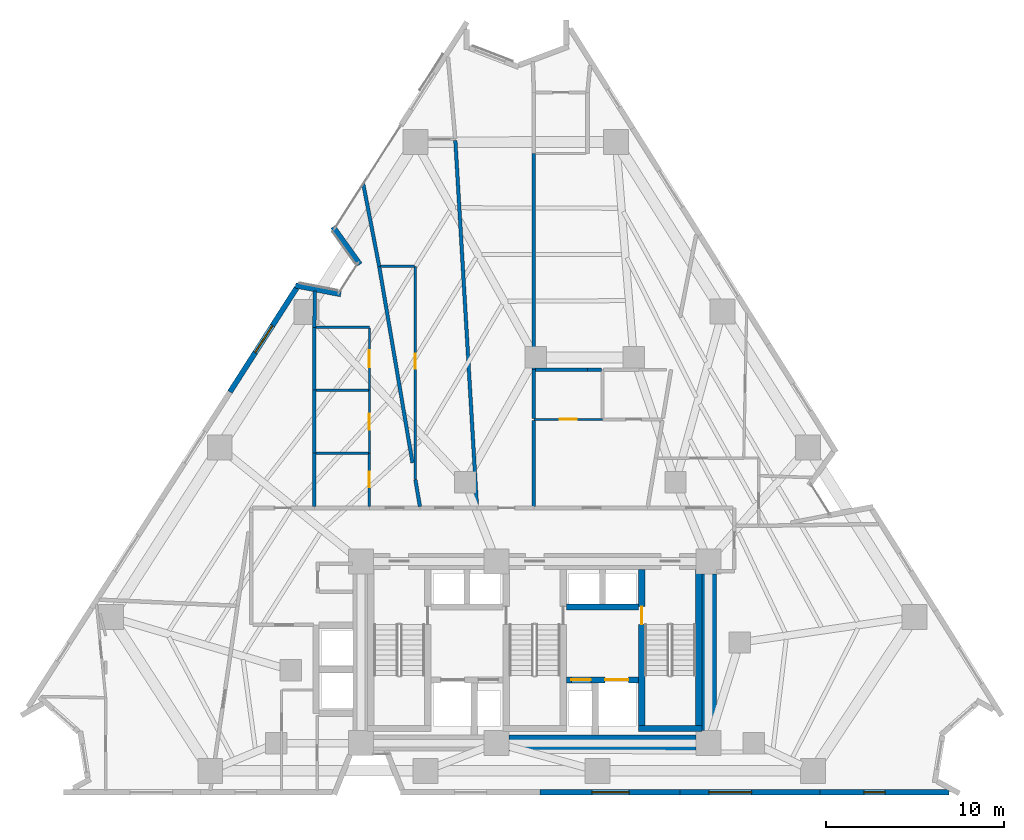
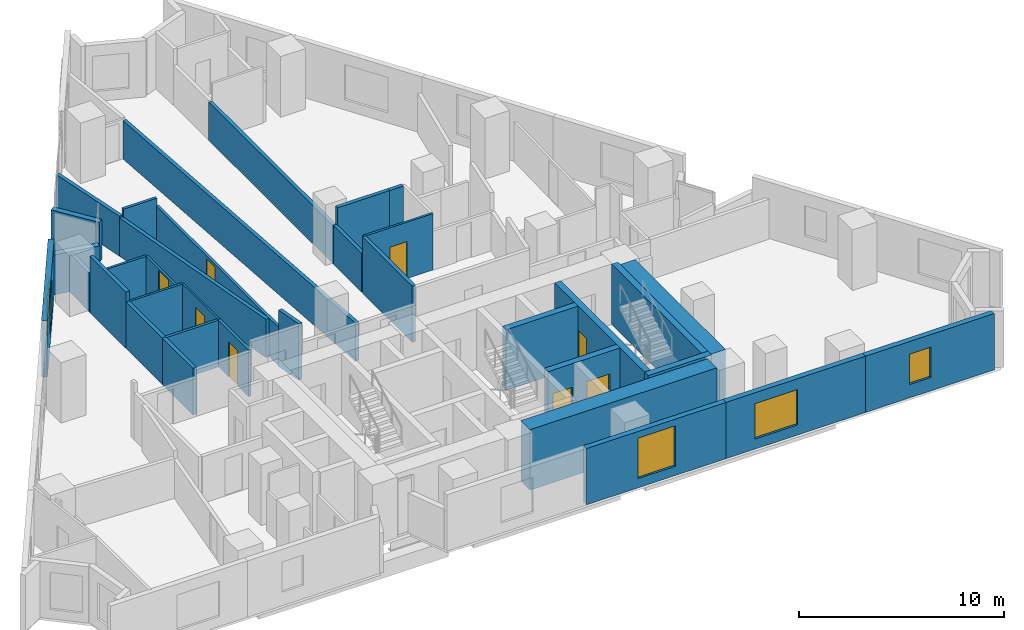
# One storey, part 8 of 12: 35 walls, 8 doors, 4 windows, 12 openings.
"""IFC4 building model written with IfcOpenShell, lengths in metres."""

from ifc_helpers import new_model, si_unit, direction, frame, frame_2d, origin, place, context, subcontext, project, spatial, rectangle, extrude, material, layer, layer_set, type_object, element, fill, save


model = new_model("IFC4")

# Units and contexts
model_context = context("Model", 3, precision=1e-05, world=origin(), true_north=direction((0.0, 1.0)))
body_context = subcontext(model_context, "Body", "Model", "MODEL_VIEW")
ifc_project = project(units=[si_unit("LENGTHUNIT", "METRE"), si_unit("AREAUNIT", "SQUARE_METRE"), si_unit("VOLUMEUNIT", "CUBIC_METRE"), si_unit("PLANEANGLEUNIT", "RADIAN"), si_unit("MASSUNIT", "GRAM", prefix="KILO")], contexts=[model_context])

# Site, building, storey
site_placement = place(None, origin())
site = spatial("IfcSite", under=ifc_project, at=site_placement, CompositionType="ELEMENT")
building_placement = place(site_placement, origin())
building = spatial("IfcBuilding", under=site, at=building_placement, Name="Almagre Mirador Tower", CompositionType="ELEMENT")
storey_placement = place(building_placement, frame((0.0, 0.0, 64.199951171875)))
storey = spatial("IfcBuildingStorey", under=building, at=storey_placement, Name="L15", CompositionType="ELEMENT", Elevation=64.199951171875)

# Walls
ifc_material_1 = material(Name="Precast concrete C50/60", Category="concrete")
ifc_layer_1 = layer(ifc_material_1, 0.300048828125)
ifc_layer_set_1 = layer_set([ifc_layer_1], Name="Precast concrete C50/60")
wall_type_1 = type_object("IfcWallType", Name="WAL-EXT-300", PredefinedType="SOLIDWALL", material=ifc_layer_set_1)
wall_1_placement = place(storey_placement, frame((23.86962890625, 30.24169921875, 0.0), z_axis=(0.0, 0.0, 1.0), x_axis=(0.981746420535, -0.190194547153, 0.0)))
element("IfcWall", 1, at=wall_1_placement, inside=storey, type_object=wall_type_1, Name="L15 expressed almagre precast frame wall 01", PredefinedType="SOLIDWALL", context=body_context, shape_type="SweptSolid", body=[
    extrude(rectangle(XDim=2.59423828125, YDim=0.300048828125, at=frame_2d((1.297119140625, 0.0))), origin(), (0.0, 0.0, 1.0), 2.375),
])
wall_2_placement = place(storey_placement, frame((27.487548828125, 31.42138671875, 0.0), z_axis=(0.0, 0.0, 1.0), x_axis=(-0.58299973372, 0.812472344442, 0.0)))
element("IfcWall", 2, at=wall_2_placement, inside=storey, type_object=wall_type_1, Name="L15 expressed almagre precast frame wall 02", PredefinedType="SOLIDWALL", context=body_context, shape_type="SweptSolid", body=[
    extrude(rectangle(XDim=2.59375, YDim=0.300048828125, at=frame_2d((1.296875, 0.0))), origin(), (0.0, 0.0, 1.0), 2.375),
])

# Wall, opening, window
wall_3_placement = place(storey_placement, frame((60.534912109375, 1.800048828125, 0.0), z_axis=(0.0, 0.0, 1.0), x_axis=(-1.0, 0.0, 0.0)))
wall_3 = element("IfcWall", 3, at=wall_3_placement, inside=storey, type_object=wall_type_1, Name="L15 expressed almagre precast frame wall 20", PredefinedType="SOLIDWALL", context=body_context, shape_type="SweptSolid", body=[
    extrude(rectangle(XDim=7.239990234375, YDim=0.300048828125, at=frame_2d((3.6201171875, 0.0))), origin(), (0.0, 0.0, 1.0), 3.35009765625),
])
opening_1_placement = place(wall_3_placement, frame((3.570068359375, 0.0, 0.800048828125)))
opening_1 = element("IfcOpeningElement", 4, at=opening_1_placement, cuts=wall_3, Name="Opening WN-04", PredefinedType="OPENING", context=body_context, shape_type="SweptSolid", body=[
    extrude(rectangle(XDim=1.199951171875, YDim=1.800048828125, at=frame_2d((0.60009765625, 0.89990234375))), frame((0.0, 0.159902, 0.0), z_axis=(0.0, -1.0, 0.0), x_axis=(1.0, 0.0, 0.0)), (0.0, 0.0, 1.0), 0.320049),
])
ifc_material_2 = material(Name="Dark solar-control laminated hurricane glass", Category="glass")
window_type_1 = type_object("IfcWindowType", Name="WIN-1200X1800", PartitioningType="SINGLE_PANEL", PredefinedType="WINDOW", material=ifc_material_2)
window_1_placement = place(opening_1_placement, origin())
window_1 = element("IfcWindow", 5, at=window_1_placement, inside=storey, type_object=window_type_1, Name="L15 recessed hurricane window L15-UD-BT", OverallHeight=1.800048828125, OverallWidth=1.199951171875, PartitioningType="SINGLE_PANEL", PredefinedType="WINDOW", context=body_context, shape_type="SweptSolid", body=[
    extrude(rectangle(XDim=1.199951171875, YDim=1.800048828125, at=frame_2d((0.60009765625, 0.89990234375))), frame((0.0, 0.030029296875, 0.0), z_axis=(0.0, -1.0, 0.0), x_axis=(1.0, 0.0, 0.0)), (0.0, 0.0, 1.0), 0.06005859375),
])
fill(opening_1, window_1)

wall_4_placement = place(storey_placement, frame((53.294921875, 1.800048828125, 0.0), z_axis=(0.0, 0.0, 1.0), x_axis=(-1.0, 0.0, 0.0)))
wall_4 = element("IfcWall", 6, at=wall_4_placement, inside=storey, type_object=wall_type_1, Name="L15 expressed almagre precast frame wall 21", PredefinedType="SOLIDWALL", context=body_context, shape_type="SweptSolid", body=[
    extrude(rectangle(XDim=7.844970703125, YDim=0.300048828125, at=frame_2d((3.92236328125, 0.0))), origin(), (0.0, 0.0, 1.0), 3.35009765625),
])
opening_2_placement = place(wall_4_placement, frame((3.824951171875, 0.0, 0.60009765625)))
opening_2 = element("IfcOpeningElement", 7, at=opening_2_placement, cuts=wall_4, Name="Opening WN-02", PredefinedType="OPENING", context=body_context, shape_type="SweptSolid", body=[
    extrude(rectangle(XDim=2.39990234375, YDim=2.10009765625, at=frame_2d((1.199951171875, 1.050048828125))), frame((0.0, 0.159902, 0.0), z_axis=(0.0, -1.0, 0.0), x_axis=(1.0, 0.0, 0.0)), (0.0, 0.0, 1.0), 0.320049),
])
ifc_material_3 = material(Name="Dark solar-control laminated hurricane glass", Category="glass")
window_type_2 = type_object("IfcWindowType", Name="WIN-2400X2100", PartitioningType="TRIPLE_PANEL_VERTICAL", PredefinedType="WINDOW", material=ifc_material_3)
window_2_placement = place(opening_2_placement, origin())
window_2 = element("IfcWindow", 8, at=window_2_placement, inside=storey, type_object=window_type_2, Name="L15 recessed hurricane window L15-RST-C", OverallHeight=2.10009765625, OverallWidth=2.39990234375, PartitioningType="SINGLE_PANEL", PredefinedType="WINDOW", context=body_context, shape_type="SweptSolid", body=[
    extrude(rectangle(XDim=2.39990234375, YDim=2.10009765625, at=frame_2d((1.199951171875, 1.050048828125))), frame((0.0, 0.030029296875, 0.0), z_axis=(0.0, -1.0, 0.0), x_axis=(1.0, 0.0, 0.0)), (0.0, 0.0, 1.0), 0.06005859375),
])
fill(opening_2, window_2)

wall_5_placement = place(storey_placement, frame((45.449951171875, 1.800048828125, 0.0), z_axis=(0.0, 0.0, 1.0), x_axis=(-1.0, 0.0, 0.0)))
wall_5 = element("IfcWall", 9, at=wall_5_placement, inside=storey, type_object=wall_type_1, Name="L15 expressed almagre precast frame wall 22", PredefinedType="SOLIDWALL", context=body_context, shape_type="SweptSolid", body=[
    extrude(rectangle(XDim=7.844970703125, YDim=0.300048828125, at=frame_2d((3.92236328125, 0.0))), origin(), (0.0, 0.0, 1.0), 3.35009765625),
])
opening_3_placement = place(wall_5_placement, frame((2.85009765625, 0.0, 0.550048828125)))
opening_3 = element("IfcOpeningElement", 10, at=opening_3_placement, cuts=wall_5, Name="Opening WN-05", PredefinedType="OPENING", context=body_context, shape_type="SweptSolid", body=[
    extrude(rectangle(XDim=2.10009765625, YDim=2.39990234375, at=frame_2d((1.050048828125, 1.199951171875))), frame((0.0, 0.159902, 0.0), z_axis=(0.0, -1.0, 0.0), x_axis=(1.0, 0.0, 0.0)), (0.0, 0.0, 1.0), 0.320049),
])
ifc_material_4 = material(Name="Dark solar-control laminated hurricane glass", Category="glass")
window_type_3 = type_object("IfcWindowType", Name="WIN-2100X2400", PartitioningType="DOUBLE_PANEL_VERTICAL", PredefinedType="WINDOW", material=ifc_material_4)
window_3_placement = place(opening_3_placement, origin())
window_3 = element("IfcWindow", 11, at=window_3_placement, inside=storey, type_object=window_type_3, Name="L15 recessed hurricane window L15-RST-C", OverallHeight=2.39990234375, OverallWidth=2.10009765625, PartitioningType="SINGLE_PANEL", PredefinedType="WINDOW", context=body_context, shape_type="SweptSolid", body=[
    extrude(rectangle(XDim=2.10009765625, YDim=2.39990234375, at=frame_2d((1.050048828125, 1.199951171875))), frame((0.0, 0.030029296875, 0.0), z_axis=(0.0, -1.0, 0.0), x_axis=(1.0, 0.0, 0.0)), (0.0, 0.0, 1.0), 0.06005859375),
])
fill(opening_3, window_3)

wall_6_placement = place(storey_placement, frame((20.1943359375, 24.2646484375, 0.0), z_axis=(0.0, 0.0, 1.0), x_axis=(0.539491368069, 0.841991130463, 0.0)))
wall_6 = element("IfcWall", 12, at=wall_6_placement, inside=storey, type_object=wall_type_1, Name="L15 expressed almagre precast frame wall 35", PredefinedType="SOLIDWALL", context=body_context, shape_type="SweptSolid", body=[
    extrude(rectangle(XDim=6.931884765625, YDim=0.300048828125, at=frame_2d((3.4658203125, 0.0))), origin(), (0.0, 0.0, 1.0), 3.35009765625),
])
opening_4_placement = place(wall_6_placement, frame((2.625, 0.0, 0.60009765625)))
opening_4 = element("IfcOpeningElement", 13, at=opening_4_placement, cuts=wall_6, Name="Opening WN-01", PredefinedType="OPENING", context=body_context, shape_type="SweptSolid", body=[
    extrude(rectangle(XDim=1.800048828125, YDim=2.10009765625, at=frame_2d((0.89990234375, 1.050048828125))), frame((0.0, 0.159902, 0.0), z_axis=(0.0, -1.0, 0.0), x_axis=(1.0, 0.0, 0.0)), (0.0, 0.0, 1.0), 0.320049),
])
ifc_material_5 = material(Name="Dark solar-control laminated hurricane glass", Category="glass")
window_type_4 = type_object("IfcWindowType", Name="WIN-1800X2100", PartitioningType="DOUBLE_PANEL_VERTICAL", PredefinedType="WINDOW", material=ifc_material_5)
window_4_placement = place(opening_4_placement, origin())
window_4 = element("IfcWindow", 14, at=window_4_placement, inside=storey, type_object=window_type_4, Name="L15 recessed hurricane window L15-RST-F", OverallHeight=2.10009765625, OverallWidth=1.800048828125, PartitioningType="SINGLE_PANEL", PredefinedType="WINDOW", context=body_context, shape_type="SweptSolid", body=[
    extrude(rectangle(XDim=1.800048828125, YDim=2.10009765625, at=frame_2d((0.89990234375, 1.050048828125))), frame((0.0, 0.030029296875, 0.0), z_axis=(0.0, -1.0, 0.0), x_axis=(1.0, 0.0, 0.0)), (0.0, 0.0, 1.0), 0.06005859375),
])
fill(opening_4, window_4)

# Wall, opening, door
ifc_material_6 = material(Name="Gypsum acoustic stud partition", Category="other")
ifc_layer_2 = layer(ifc_material_6, 0.10009765625)
ifc_layer_set_2 = layer_set([ifc_layer_2], Name="Gypsum acoustic stud partition")
wall_type_2 = type_object("IfcWallType", Name="WAL-PRT-100-CLS", PredefinedType="PARTITIONING", material=ifc_layer_set_2)
wall_7_placement = place(storey_placement, frame((28.02001953125, 24.360107421875, 0.0), z_axis=(0.0, 0.0, 1.0), x_axis=(0.0, -1.0, 0.0)))
wall_7 = element("IfcWall", 15, at=wall_7_placement, inside=storey, type_object=wall_type_2, Name="L15 interior partition 047", PredefinedType="PARTITIONING", context=body_context, shape_type="SweptSolid", body=[
    extrude(rectangle(XDim=3.530029296875, YDim=0.10009765625, at=frame_2d((1.76513671875, 0.0))), origin(), (0.0, 0.0, 1.0), 2.77099609375),
])
opening_5_placement = place(wall_7_placement, frame((1.31494140625, 0.0, 0.0)))
opening_5 = element("IfcOpeningElement", 16, at=opening_5_placement, cuts=wall_7, Name="Opening UD-02", PredefinedType="OPENING", context=body_context, shape_type="SweptSolid", body=[
    extrude(rectangle(XDim=0.89990234375, YDim=2.14990234375, at=frame_2d((0.449951171875, 1.074951171875))), frame((0.0, 0.060049, 0.0), z_axis=(0.0, -1.0, 0.0), x_axis=(1.0, 0.0, 0.0)), (0.0, 0.0, 1.0), 0.120098),
])
ifc_material_7 = material(Name="Solid American walnut timber", Category="wood")
door_type_1 = type_object("IfcDoorType", Name="DOR-UNR-900X2150", OperationType="NOTDEFINED", PredefinedType="DOOR", material=ifc_material_7)
door_1_placement = place(opening_5_placement, origin())
door_1 = element("IfcDoor", 17, at=door_1_placement, inside=storey, type_object=door_type_1, Name="DR-0509 L15 interior door L15-UG-LV to L15-UG-MB", OperationType="SINGLE_SWING_LEFT", OverallHeight=2.14990234375, OverallWidth=0.89990234375, PredefinedType="DOOR", context=body_context, shape_type="SweptSolid", body=[
    extrude(rectangle(XDim=0.89990234375, YDim=2.14990234375, at=frame_2d((0.449951171875, 1.074951171875))), frame((0.0, 0.02490234375, 0.0), z_axis=(0.0, -1.0, 0.0), x_axis=(1.0, 0.0, 0.0)), (0.0, 0.0, 1.0), 0.050048828125),
])
fill(opening_5, door_1)

# Wall
ifc_material_8 = material(Name="Gypsum acoustic stud partition", Category="other")
ifc_layer_3 = layer(ifc_material_8, 0.125)
ifc_layer_set_3 = layer_set([ifc_layer_3], Name="Gypsum acoustic stud partition")
wall_type_3 = type_object("IfcWallType", Name="WAL-PRT-125-UTL", PredefinedType="PARTITIONING", material=ifc_layer_set_3)
wall_8_placement = place(storey_placement, frame((25.014892578125, 27.889892578125, 0.0), z_axis=(0.0, 0.0, 1.0), x_axis=(1.0, 0.0, 0.0)))
element("IfcWall", 18, at=wall_8_placement, inside=storey, type_object=wall_type_3, Name="L15 interior partition 045", PredefinedType="PARTITIONING", context=body_context, shape_type="SweptSolid", body=[
    extrude(rectangle(XDim=3.005126953125, YDim=0.125, at=frame_2d((1.50244140625, 0.0))), origin(), (0.0, 0.0, 1.0), 2.279052734375),
])

# Wall, opening, door
wall_9_placement = place(storey_placement, frame((28.02001953125, 27.842529296875, 0.0), z_axis=(0.0, 0.0, 1.0), x_axis=(0.0, -1.0, 0.0)))
wall_9 = element("IfcWall", 19, at=wall_9_placement, inside=storey, type_object=wall_type_3, Name="L15 interior partition 046", PredefinedType="PARTITIONING", context=body_context, shape_type="SweptSolid", body=[
    extrude(rectangle(XDim=3.482421875, YDim=0.125, at=frame_2d((1.7412109375, 0.0))), origin(), (0.0, 0.0, 1.0), 2.279052734375),
])
opening_6_placement = place(wall_9_placement, frame((1.242431640625, 0.0, 0.0)))
opening_6 = element("IfcOpeningElement", 20, at=opening_6_placement, cuts=wall_9, Name="Opening UD-01", PredefinedType="OPENING", context=body_context, shape_type="SweptSolid", body=[
    extrude(rectangle(XDim=0.949951171875, YDim=2.199951171875, at=frame_2d((0.47509765625, 1.10009765625))), frame((0.0, 0.0725, 0.0), z_axis=(0.0, -1.0, 0.0), x_axis=(1.0, 0.0, 0.0)), (0.0, 0.0, 1.0), 0.145),
])
ifc_material_9 = material(Name="Solid American walnut timber", Category="wood")
door_type_2 = type_object("IfcDoorType", Name="DOR-UNR-950X2200", OperationType="NOTDEFINED", PredefinedType="DOOR", material=ifc_material_9)
door_2_placement = place(opening_6_placement, origin())
door_2 = element("IfcDoor", 21, at=door_2_placement, inside=storey, type_object=door_type_2, Name="DR-0507 L15 interior door L15-UG-LV to L15-UG-KT", OperationType="SINGLE_SWING_LEFT", OverallHeight=2.199951171875, OverallWidth=0.949951171875, PredefinedType="DOOR", context=body_context, shape_type="SweptSolid", body=[
    extrude(rectangle(XDim=0.949951171875, YDim=2.199951171875, at=frame_2d((0.47509765625, 1.10009765625))), frame((0.0, 0.02490234375, 0.0), z_axis=(0.0, -1.0, 0.0), x_axis=(1.0, 0.0, 0.0)), (0.0, 0.0, 1.0), 0.050048828125),
])
fill(opening_6, door_2)

# Wall
wall_10_placement = place(storey_placement, frame((25.014892578125, 24.360107421875, 0.0), z_axis=(0.0, 0.0, 1.0), x_axis=(1.0, 0.0, 0.0)))
element("IfcWall", 22, at=wall_10_placement, inside=storey, type_object=wall_type_3, Name="L15 interior partition 052", PredefinedType="PARTITIONING", context=body_context, shape_type="SweptSolid", body=[
    extrude(rectangle(XDim=2.95751953125, YDim=0.125, at=frame_2d((1.478759765625, 0.0))), origin(), (0.0, 0.0, 1.0), 2.77099609375),
])

# Wall, opening, door
wall_11_placement = place(storey_placement, frame((41.10009765625, 22.719970703125, 0.0), z_axis=(0.0, 0.0, 1.0), x_axis=(-1.0, 0.0, 0.0)))
wall_11 = element("IfcWall", 23, at=wall_11_placement, inside=storey, type_object=wall_type_3, Name="L15 interior partition 053", PredefinedType="PARTITIONING", context=body_context, shape_type="SweptSolid", body=[
    extrude(rectangle(XDim=3.85009765625, YDim=0.125, at=frame_2d((1.925048828125, 0.0))), origin(), (0.0, 0.0, 1.0), 3.35009765625),
])
opening_7_placement = place(wall_11_placement, frame((1.449951171875, 0.0, 0.0)))
opening_7 = element("IfcOpeningElement", 24, at=opening_7_placement, cuts=wall_11, Name="Opening UD-01", PredefinedType="OPENING", context=body_context, shape_type="SweptSolid", body=[
    extrude(rectangle(XDim=0.949951171875, YDim=2.199951171875, at=frame_2d((0.47509765625, 1.10009765625))), frame((0.0, 0.0725, 0.0), z_axis=(0.0, -1.0, 0.0), x_axis=(1.0, 0.0, 0.0)), (0.0, 0.0, 1.0), 0.145),
])
door_3_placement = place(opening_7_placement, origin())
door_3 = element("IfcDoor", 25, at=door_3_placement, inside=storey, type_object=door_type_2, Name="DR-0511 L15 interior door L15-UH-ST to L15-UH-KT", OperationType="SINGLE_SWING_LEFT", OverallHeight=2.199951171875, OverallWidth=0.949951171875, PredefinedType="DOOR", context=body_context, shape_type="SweptSolid", body=[
    extrude(rectangle(XDim=0.949951171875, YDim=2.199951171875, at=frame_2d((0.47509765625, 1.10009765625))), frame((0.0, 0.02490234375, 0.0), z_axis=(0.0, -1.0, 0.0), x_axis=(1.0, 0.0, 0.0)), (0.0, 0.0, 1.0), 0.050048828125),
])
fill(opening_7, door_3)

ifc_material_10 = material(Name="Gypsum acoustic stud partition", Category="other")
ifc_layer_4 = layer(ifc_material_10, 0.14990234375)
ifc_layer_set_4 = layer_set([ifc_layer_4], Name="Gypsum acoustic stud partition")
wall_type_4 = type_object("IfcWallType", Name="WAL-PRT-150-STD", PredefinedType="PARTITIONING", material=ifc_layer_set_4)
wall_12_placement = place(storey_placement, frame((28.02001953125, 20.830078125, 0.0), z_axis=(0.0, 0.0, 1.0), x_axis=(0.0, -1.0, 0.0)))
wall_12 = element("IfcWall", 26, at=wall_12_placement, inside=storey, type_object=wall_type_4, Name="L15 interior partition 044", PredefinedType="PARTITIONING", context=body_context, shape_type="SweptSolid", body=[
    extrude(rectangle(XDim=2.9951171875, YDim=0.14990234375, at=frame_2d((1.49755859375, 0.0))), origin(), (0.0, 0.0, 1.0), 2.77099609375),
])
opening_8_placement = place(wall_12_placement, frame((1.0576171875, 0.0, 0.0)))
opening_8 = element("IfcOpeningElement", 27, at=opening_8_placement, cuts=wall_12, Name="Opening UD-04", PredefinedType="OPENING", context=body_context, shape_type="SweptSolid", body=[
    extrude(rectangle(XDim=0.85009765625, YDim=2.10009765625, at=frame_2d((0.425048828125, 1.050048828125))), frame((0.0, 0.084951, 0.0), z_axis=(0.0, -1.0, 0.0), x_axis=(1.0, 0.0, 0.0)), (0.0, 0.0, 1.0), 0.169902),
])
ifc_material_11 = material(Name="Moisture-resistant oak timber", Category="wood")
door_type_3 = type_object("IfcDoorType", Name="DOR-UNR-850X2100", OperationType="NOTDEFINED", PredefinedType="DOOR", material=ifc_material_11)
door_4_placement = place(opening_8_placement, origin())
door_4 = element("IfcDoor", 28, at=door_4_placement, inside=storey, type_object=door_type_3, Name="DR-0508 L15 interior door L15-UG-LV to L15-UG-HB", OperationType="SINGLE_SWING_RIGHT", OverallHeight=2.10009765625, OverallWidth=0.85009765625, PredefinedType="DOOR", context=body_context, shape_type="SweptSolid", body=[
    extrude(rectangle(XDim=0.85009765625, YDim=2.10009765625, at=frame_2d((0.425048828125, 1.050048828125))), frame((0.0, 0.02490234375, 0.0), z_axis=(0.0, -1.0, 0.0), x_axis=(1.0, 0.0, 0.0)), (0.0, 0.0, 1.0), 0.050048828125),
])
fill(opening_8, door_4)

# Wall
wall_13_placement = place(storey_placement, frame((27.9599609375, 20.830078125, 0.0), z_axis=(0.0, 0.0, 1.0), x_axis=(-1.0, 0.0, 0.0)))
element("IfcWall", 29, at=wall_13_placement, inside=storey, type_object=wall_type_4, Name="L15 interior partition 051", PredefinedType="PARTITIONING", context=body_context, shape_type="SweptSolid", body=[
    extrude(rectangle(XDim=2.945068359375, YDim=0.14990234375, at=frame_2d((1.47265625, 0.0))), origin(), (0.0, 0.0, 1.0), 2.77099609375),
])

# Wall, opening, door
wall_14_placement = place(storey_placement, frame((30.60009765625, 31.31005859375, 0.0), z_axis=(0.0, 0.0, 1.0), x_axis=(0.0, -1.0, 0.0)))
wall_14 = element("IfcWall", 30, at=wall_14_placement, inside=storey, type_object=wall_type_4, Name="L15 interior partition 071", PredefinedType="PARTITIONING", context=body_context, shape_type="SweptSolid", body=[
    extrude(rectangle(XDim=11.969970703125, YDim=0.14990234375, at=frame_2d((5.98486328125, 0.0))), origin(), (0.0, 0.0, 1.0), 2.279052734375),
])
opening_9_placement = place(wall_14_placement, frame((4.90478515625, 0.0, 0.0)))
opening_9 = element("IfcOpeningElement", 31, at=opening_9_placement, cuts=wall_14, Name="Opening UD-04", PredefinedType="OPENING", context=body_context, shape_type="SweptSolid", body=[
    extrude(rectangle(XDim=0.85009765625, YDim=2.10009765625, at=frame_2d((0.425048828125, 1.050048828125))), frame((0.0, 0.084951, 0.0), z_axis=(0.0, -1.0, 0.0), x_axis=(1.0, 0.0, 0.0)), (0.0, 0.0, 1.0), 0.169902),
])
door_5_placement = place(opening_9_placement, origin())
door_5 = element("IfcDoor", 32, at=door_5_placement, inside=storey, type_object=door_type_3, Name="DR-0518 L15 interior door L15-UK-LV to L15-UK-HB", OperationType="SINGLE_SWING_RIGHT", OverallHeight=2.10009765625, OverallWidth=0.85009765625, PredefinedType="DOOR", context=body_context, shape_type="SweptSolid", body=[
    extrude(rectangle(XDim=0.85009765625, YDim=2.10009765625, at=frame_2d((0.425048828125, 1.050048828125))), frame((0.0, 0.02490234375, 0.0), z_axis=(0.0, -1.0, 0.0), x_axis=(1.0, 0.0, 0.0)), (0.0, 0.0, 1.0), 0.050048828125),
])
fill(opening_9, door_5)

# Walls
wall_15_placement = place(storey_placement, frame((30.5400390625, 31.31005859375, 0.0), z_axis=(0.0, 0.0, 1.0), x_axis=(-1.0, 0.0, 0.0)))
element("IfcWall", 33, at=wall_15_placement, inside=storey, type_object=wall_type_4, Name="L15 interior partition 075", PredefinedType="PARTITIONING", context=body_context, shape_type="SweptSolid", body=[
    extrude(rectangle(XDim=1.885009765625, YDim=0.14990234375, at=frame_2d((0.9423828125, 0.0))), origin(), (0.0, 0.0, 1.0), 2.77099609375),
])
ifc_material_12 = material(Name="Gypsum acoustic stud partition", Category="other")
ifc_layer_5 = layer(ifc_material_12, 0.199951171875)
ifc_layer_set_5 = layer_set([ifc_layer_5], Name="Gypsum acoustic stud partition")
wall_type_5 = type_object("IfcWallType", Name="WAL-PRT-200-EI60", PredefinedType="PARTITIONING", material=ifc_layer_set_5)
wall_16_placement = place(storey_placement, frame((24.929931640625, 27.889892578125, 0.0), z_axis=(0.0, 0.0, 1.0), x_axis=(0.015667932991, 0.999877250404, 0.0)))
element("IfcWall", 34, at=wall_16_placement, inside=storey, type_object=wall_type_5, Name="L15 interior partition 040", PredefinedType="PARTITIONING", context=body_context, shape_type="SweptSolid", body=[
    extrude(rectangle(XDim=2.041259765625, YDim=0.199951171875, at=frame_2d((1.0205078125, 0.0))), origin(), (0.0, 0.0, 1.0), 2.279052734375),
])
wall_17_placement = place(storey_placement, frame((24.929931640625, 17.8349609375, 0.0), z_axis=(0.0, 0.0, 1.0), x_axis=(0.0, 1.0, 0.0)))
element("IfcWall", 35, at=wall_17_placement, inside=storey, type_object=wall_type_5, Name="L15 interior partition 041", PredefinedType="PARTITIONING", context=body_context, shape_type="SweptSolid", body=[
    extrude(rectangle(XDim=2.9951171875, YDim=0.199951171875, at=frame_2d((1.49755859375, 0.0))), origin(), (0.0, 0.0, 1.0), 2.77099609375),
])
wall_18_placement = place(storey_placement, frame((24.929931640625, 24.360107421875, 0.0), z_axis=(0.0, 0.0, 1.0), x_axis=(0.0, 1.0, 0.0)))
element("IfcWall", 36, at=wall_18_placement, inside=storey, type_object=wall_type_5, Name="L15 interior partition 042", PredefinedType="PARTITIONING", context=body_context, shape_type="SweptSolid", body=[
    extrude(rectangle(XDim=3.52978515625, YDim=0.199951171875, at=frame_2d((1.764892578125, 0.0))), origin(), (0.0, 0.0, 1.0), 3.35009765625),
])
wall_19_placement = place(storey_placement, frame((24.929931640625, 20.830078125, 0.0), z_axis=(0.0, 0.0, 1.0), x_axis=(0.0, 1.0, 0.0)))
element("IfcWall", 37, at=wall_19_placement, inside=storey, type_object=wall_type_5, Name="L15 interior partition 043", PredefinedType="PARTITIONING", context=body_context, shape_type="SweptSolid", body=[
    extrude(rectangle(XDim=3.530029296875, YDim=0.199951171875, at=frame_2d((1.76513671875, 0.0))), origin(), (0.0, 0.0, 1.0), 2.77099609375),
])
wall_20_placement = place(storey_placement, frame((30.855712890625, 17.833740234375, 0.0), z_axis=(0.0, 0.0, 1.0), x_axis=(-0.167300412549, 0.98590596507, 0.0)))
element("IfcWall", 38, at=wall_20_placement, inside=storey, type_object=wall_type_5, Name="L15 interior partition 048", PredefinedType="PARTITIONING", context=body_context, shape_type="SweptSolid", body=[
    extrude(rectangle(XDim=1.52783203125, YDim=0.199951171875, at=frame_2d((0.763916015625, 0.0))), origin(), (0.0, 0.0, 1.0), 3.35009765625),
])
wall_21_placement = place(storey_placement, frame((30.43994140625, 20.282958984375, 0.0), z_axis=(0.0, 0.0, 1.0), x_axis=(-0.167184114114, 0.985925692934, 0.0)))
element("IfcWall", 39, at=wall_21_placement, inside=storey, type_object=wall_type_5, Name="L15 interior partition 049", PredefinedType="PARTITIONING", context=body_context, shape_type="SweptSolid", body=[
    extrude(rectangle(XDim=11.1845703125, YDim=0.199951171875, at=frame_2d((5.59228515625, 0.0))), origin(), (0.0, 0.0, 1.0), 2.279052734375),
])
wall_22_placement = place(storey_placement, frame((28.570068359375, 31.31005859375, 0.0), z_axis=(0.0, 0.0, 1.0), x_axis=(-0.189799750432, 0.981822822477, 0.0)))
element("IfcWall", 40, at=wall_22_placement, inside=storey, type_object=wall_type_5, Name="L15 interior partition 050", PredefinedType="PARTITIONING", context=body_context, shape_type="SweptSolid", body=[
    extrude(rectangle(XDim=4.715576171875, YDim=0.199951171875, at=frame_2d((2.35791015625, 0.0))), origin(), (0.0, 0.0, 1.0), 2.3701171875),
])
wall_23_placement = place(storey_placement, frame((37.25, 22.672607421875, 0.0), z_axis=(0.0, 0.0, 1.0), x_axis=(0.0, -1.0, 0.0)))
element("IfcWall", 41, at=wall_23_placement, inside=storey, type_object=wall_type_5, Name="L15 interior partition 057", PredefinedType="PARTITIONING", context=body_context, shape_type="SweptSolid", body=[
    extrude(rectangle(XDim=4.837646484375, YDim=0.199951171875, at=frame_2d((2.4189453125, 0.0))), origin(), (0.0, 0.0, 1.0), 3.35009765625),
])
wall_24_placement = place(storey_placement, frame((37.25, 25.510009765625, 0.0), z_axis=(0.0, 0.0, 1.0), x_axis=(0.0, -1.0, 0.0)))
element("IfcWall", 42, at=wall_24_placement, inside=storey, type_object=wall_type_5, Name="L15 interior partition 059", PredefinedType="PARTITIONING", context=body_context, shape_type="SweptSolid", body=[
    extrude(rectangle(XDim=2.742431640625, YDim=0.199951171875, at=frame_2d((1.37109375, 0.0))), origin(), (0.0, 0.0, 1.0), 2.30908203125),
])
wall_25_placement = place(storey_placement, frame((40.260009765625, 25.510009765625, 0.0), z_axis=(0.0, 0.0, 1.0), x_axis=(-1.0, 0.0, 0.0)))
element("IfcWall", 43, at=wall_25_placement, inside=storey, type_object=wall_type_5, Name="L15 interior partition 061", PredefinedType="PARTITIONING", context=body_context, shape_type="SweptSolid", body=[
    extrude(rectangle(XDim=2.925048828125, YDim=0.199951171875, at=frame_2d((1.46240234375, 0.0))), origin(), (0.0, 0.0, 1.0), 3.35009765625),
])
wall_26_placement = place(storey_placement, frame((34.054931640625, 17.8349609375, 0.0), z_axis=(0.0, 0.0, 1.0), x_axis=(-0.058890284917, 0.998264461124, 0.0)))
element("IfcWall", 44, at=wall_26_placement, inside=storey, type_object=wall_type_5, Name="L15 interior partition 074", PredefinedType="PARTITIONING", context=body_context, shape_type="SweptSolid", body=[
    extrude(rectangle(XDim=20.583251953125, YDim=0.199951171875, at=frame_2d((10.29150390625, 0.0))), origin(), (0.0, 0.0, 1.0), 2.279052734375),
])
wall_27_placement = place(storey_placement, frame((37.25, 25.510009765625, 0.0), z_axis=(0.0, 0.0, 1.0), x_axis=(0.0, 1.0, 0.0)))
element("IfcWall", 45, at=wall_27_placement, inside=storey, type_object=wall_type_5, Name="L15 interior partition 077", PredefinedType="PARTITIONING", context=body_context, shape_type="SweptSolid", body=[
    extrude(rectangle(XDim=12.139892578125, YDim=0.199951171875, at=frame_2d((6.06982421875, 0.0))), origin(), (0.0, 0.0, 1.0), 2.279052734375),
])
wall_28_placement = place(storey_placement, frame((41.0400390625, 25.510009765625, 0.0), z_axis=(0.0, 0.0, 1.0), x_axis=(-1.0, 0.0, 0.0)))
element("IfcWall", 46, at=wall_28_placement, inside=storey, type_object=wall_type_5, Name="L15 interior partition 094", PredefinedType="PARTITIONING", context=body_context, shape_type="SweptSolid", body=[
    extrude(rectangle(XDim=0.780029296875, YDim=0.199951171875, at=frame_2d((0.39013671875, 0.0))), origin(), (0.0, 0.0, 1.0), 3.35009765625),
])

# Wall, opening, door
ifc_material_13 = material(Name="Concrete C60/75", Category="concrete")
ifc_layer_6 = layer(ifc_material_13, 0.35009765625)
ifc_layer_set_6 = layer_set([ifc_layer_6], Name="Concrete C60/75")
wall_type_6 = type_object("IfcWallType", Name="WAL-SHF-350", PredefinedType="SOLIDWALL", material=ifc_layer_set_6)
wall_29_placement = place(storey_placement, frame((43.300048828125, 5.199951171875, 0.0), z_axis=(0.0, 0.0, 1.0), x_axis=(0.0, 1.0, 0.0)))
wall_29 = element("IfcWall", 47, at=wall_29_placement, inside=storey, type_object=wall_type_6, Name="L15 shaft wall ST3-W", PredefinedType="SOLIDWALL", context=body_context, shape_type="SweptSolid", body=[
    extrude(rectangle(XDim=9.10009765625, YDim=0.35009765625, at=frame_2d((4.550048828125, 0.0))), origin(), (0.0, 0.0, 1.0), 3.60009765625),
])
opening_10_placement = place(wall_29_placement, frame((6.02001953125, 0.0, 0.0)))
opening_10 = element("IfcOpeningElement", 48, at=opening_10_placement, cuts=wall_29, Name="Opening FD-01", PredefinedType="OPENING", context=body_context, shape_type="SweptSolid", body=[
    extrude(rectangle(XDim=1.0, YDim=2.14990234375, at=frame_2d((0.5, 1.074951171875))), frame((0.0, 0.185049, 0.0), z_axis=(0.0, -1.0, 0.0), x_axis=(1.0, 0.0, 0.0)), (0.0, 0.0, 1.0), 0.370098),
])
ifc_material_14 = material(Name="Fire-rated hollow steel", Category="steel")
door_type_4 = type_object("IfcDoorType", Name="DOR-FFL-1000X2150", OperationType="NOTDEFINED", PredefinedType="DOOR", material=ifc_material_14)
door_6_placement = place(opening_10_placement, origin())
door_6 = element("IfcDoor", 49, at=door_6_placement, inside=storey, type_object=door_type_4, Name="DR-0497 L15 FFL2-ST3 smokeproof door", OperationType="SINGLE_SWING_RIGHT", OverallHeight=2.14990234375, OverallWidth=1.0, PredefinedType="DOOR", context=body_context, shape_type="SweptSolid", body=[
    extrude(rectangle(XDim=1.0, YDim=2.14990234375, at=frame_2d((0.5, 1.074951171875))), frame((0.0, 0.02490234375, 0.0), z_axis=(0.0, -1.0, 0.0), x_axis=(1.0, 0.0, 0.0)), (0.0, 0.0, 1.0), 0.050048828125),
])
fill(opening_10, door_6)

# Walls
wall_30_placement = place(storey_placement, frame((46.5, 5.199951171875, 0.0), z_axis=(0.0, 0.0, 1.0), x_axis=(0.0, 1.0, 0.0)))
element("IfcWall", 50, at=wall_30_placement, inside=storey, type_object=wall_type_6, Name="L15 shaft wall ST3-E", PredefinedType="SOLIDWALL", context=body_context, shape_type="SweptSolid", body=[
    extrude(rectangle(XDim=9.10009765625, YDim=0.35009765625, at=frame_2d((4.550048828125, 0.0))), origin(), (0.0, 0.0, 1.0), 3.60009765625),
])
wall_31_placement = place(storey_placement, frame((43.125, 5.375, 0.0), z_axis=(0.0, 0.0, 1.0), x_axis=(1.0, 0.0, 0.0)))
element("IfcWall", 51, at=wall_31_placement, inside=storey, type_object=wall_type_6, Name="L15 shaft wall ST3-S", PredefinedType="SOLIDWALL", context=body_context, shape_type="SweptSolid", body=[
    extrude(rectangle(XDim=3.550048828125, YDim=0.35009765625, at=frame_2d((1.77490234375, 0.0))), origin(), (0.0, 0.0, 1.0), 3.60009765625),
])

# Wall, openings, doors
wall_32_placement = place(storey_placement, frame((39.074951171875, 8.10009765625, 0.0), z_axis=(0.0, 0.0, 1.0), x_axis=(1.0, 0.0, 0.0)))
wall_32 = element("IfcWall", 52, at=wall_32_placement, inside=storey, type_object=wall_type_6, Name="L15 shaft wall FSAE2-N", PredefinedType="SOLIDWALL", context=body_context, shape_type="SweptSolid", body=[
    extrude(rectangle(XDim=4.050048828125, YDim=0.35009765625, at=frame_2d((2.02490234375, 0.0))), origin(), (0.0, 0.0, 1.0), 3.60009765625),
])
opening_11_placement = place(wall_32_placement, frame((2.175048828125, 0.0, 0.0)))
opening_11 = element("IfcOpeningElement", 53, at=opening_11_placement, cuts=wall_32, Name="Opening LD-03", PredefinedType="OPENING", context=body_context, shape_type="SweptSolid", body=[
    extrude(rectangle(XDim=1.300048828125, YDim=2.25, at=frame_2d((0.64990234375, 1.125))), frame((0.0, 0.185049, 0.0), z_axis=(0.0, -1.0, 0.0), x_axis=(1.0, 0.0, 0.0)), (0.0, 0.0, 1.0), 0.370098),
])
opening_12_placement = place(wall_32_placement, frame((0.27490234375, 0.0, 0.0)))
opening_12 = element("IfcOpeningElement", 54, at=opening_12_placement, cuts=wall_32, Name="Opening LD-01", PredefinedType="OPENING", context=body_context, shape_type="SweptSolid", body=[
    extrude(rectangle(XDim=1.10009765625, YDim=2.199951171875, at=frame_2d((0.550048828125, 1.10009765625))), frame((0.0, 0.185049, 0.0), z_axis=(0.0, -1.0, 0.0), x_axis=(1.0, 0.0, 0.0)), (0.0, 0.0, 1.0), 0.370098),
])
ifc_material_15 = material(Name="Hollow stainless steel", Category="steel")
door_type_5 = type_object("IfcDoorType", Name="DOR-LD-1100X2200", OperationType="DOUBLE_DOOR_SLIDING", PredefinedType="DOOR", material=ifc_material_15)
door_7_placement = place(opening_12_placement, origin())
door_7 = element("IfcDoor", 55, at=door_7_placement, inside=storey, type_object=door_type_5, Name="DR-0525 L15 PL-L2 lift landing door", OperationType="DOUBLE_DOOR_SLIDING", OverallHeight=2.199951171875, OverallWidth=1.10009765625, PredefinedType="DOOR", context=body_context, shape_type="SweptSolid", body=[
    extrude(rectangle(XDim=1.10009765625, YDim=2.199951171875, at=frame_2d((0.550048828125, 1.10009765625))), frame((0.0, 0.02490234375, 0.0), z_axis=(0.0, -1.0, 0.0), x_axis=(1.0, 0.0, 0.0)), (0.0, 0.0, 1.0), 0.050048828125),
])
fill(opening_12, door_7)
ifc_material_16 = material(Name="Hollow stainless steel", Category="steel")
door_type_6 = type_object("IfcDoorType", Name="DOR-LD-1300X2250", OperationType="DOUBLE_DOOR_SLIDING", PredefinedType="DOOR", material=ifc_material_16)
door_8_placement = place(opening_11_placement, origin())
door_8 = element("IfcDoor", 56, at=door_8_placement, inside=storey, type_object=door_type_6, Name="DR-0523 L15 FSAE-2 lift landing door", OperationType="DOUBLE_DOOR_SLIDING", OverallHeight=2.25, OverallWidth=1.300048828125, PredefinedType="DOOR", context=body_context, shape_type="SweptSolid", body=[
    extrude(rectangle(XDim=1.300048828125, YDim=2.25, at=frame_2d((0.64990234375, 1.125))), frame((0.0, 0.02490234375, 0.0), z_axis=(0.0, -1.0, 0.0), x_axis=(1.0, 0.0, 0.0)), (0.0, 0.0, 1.0), 0.050048828125),
])
fill(opening_11, door_8)

# Walls
wall_33_placement = place(storey_placement, frame((39.074951171875, 12.199951171875, 0.0), z_axis=(0.0, 0.0, 1.0), x_axis=(1.0, 0.0, 0.0)))
element("IfcWall", 57, at=wall_33_placement, inside=storey, type_object=wall_type_6, Name="L15 shaft wall PLH-S", PredefinedType="SOLIDWALL", context=body_context, shape_type="SweptSolid", body=[
    extrude(rectangle(XDim=4.050048828125, YDim=0.35009765625, at=frame_2d((2.02490234375, 0.0))), origin(), (0.0, 0.0, 1.0), 3.60009765625),
])
ifc_material_17 = material(Name="Concrete C70/85", Category="concrete")
ifc_layer_7 = layer(ifc_material_17, 0.89990234375)
ifc_layer_set_7 = layer_set([ifc_layer_7], Name="Concrete C70/85")
wall_type_7 = type_object("IfcWallType", Name="WAL-SHR-900", PredefinedType="SHEAR", material=ifc_layer_set_7)
wall_34_placement = place(storey_placement, frame((35.85009765625, 4.550048828125, 0.0), z_axis=(0.0, 0.0, 1.0), x_axis=(1.0, 0.0, 0.0)))
element("IfcWall", 58, at=wall_34_placement, inside=storey, type_object=wall_type_7, Name="L15 core shear wall S2", PredefinedType="SHEAR", context=body_context, shape_type="SweptSolid", body=[
    extrude(rectangle(XDim=10.5, YDim=0.89990234375, at=frame_2d((5.25, 0.0))), origin(), (0.0, 0.0, 1.0), 3.60009765625),
])
wall_35_placement = place(storey_placement, frame((47.050048828125, 5.25, 0.0), z_axis=(0.0, 0.0, 1.0), x_axis=(0.0, 1.0, 0.0)))
element("IfcWall", 59, at=wall_35_placement, inside=storey, type_object=wall_type_7, Name="L15 core shear wall E1", PredefinedType="SHEAR", context=body_context, shape_type="SweptSolid", body=[
    extrude(rectangle(XDim=8.800048828125, YDim=0.89990234375, at=frame_2d((4.39990234375, 0.0))), origin(), (0.0, 0.0, 1.0), 3.60009765625),
])

save(model, "model.ifc")
